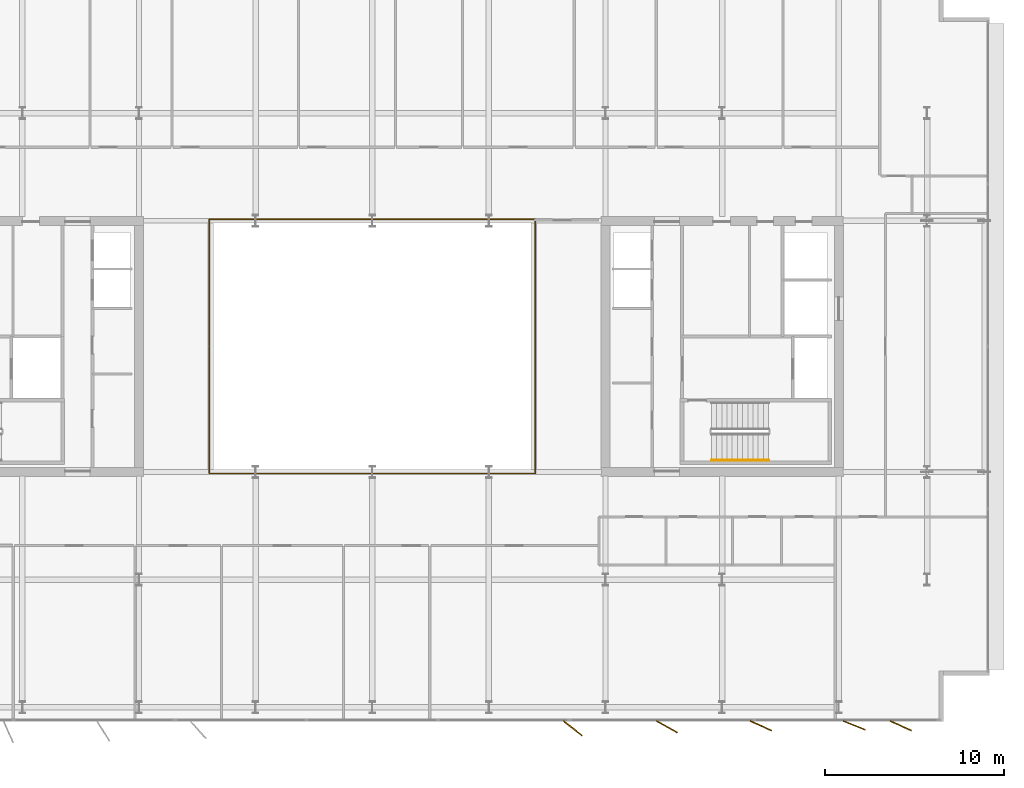
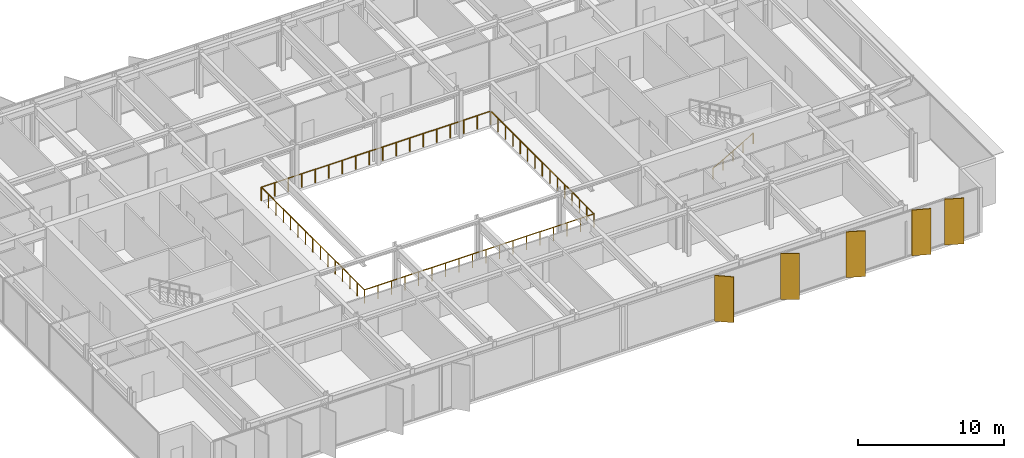
# One storey, part 18 of 20: 5 shading devices, 3 railings.
"""IFC4 building model written with IfcOpenShell, lengths in metres."""

from ifc_helpers import new_model, si_unit, direction, frame, origin, origin_2d, place, context, subcontext, project, spatial, rectangle, circle, extrude, material, layer, layer_set, type_object, element, save


model = new_model("IFC4")

# Units and contexts
model_context = context("Model", 3, precision=1e-05, world=origin(), true_north=direction((0.0, 1.0)))
body_context = subcontext(model_context, "Body", "Model", "MODEL_VIEW")
ifc_project = project(units=[si_unit("LENGTHUNIT", "METRE"), si_unit("AREAUNIT", "SQUARE_METRE"), si_unit("VOLUMEUNIT", "CUBIC_METRE"), si_unit("PLANEANGLEUNIT", "RADIAN"), si_unit("MASSUNIT", "GRAM", prefix="KILO")], contexts=[model_context])

# Site, building, storey
site_placement = place(None, origin())
site = spatial("IfcSite", under=ifc_project, at=site_placement, CompositionType="ELEMENT")
building_placement = place(site_placement, origin())
building = spatial("IfcBuilding", under=site, at=building_placement, Name="Putna Gate Headquarters", CompositionType="ELEMENT")
storey_placement = place(building_placement, frame((0.0, 0.0, 290.39990234375)))
storey = spatial("IfcBuildingStorey", under=building, at=storey_placement, Name="L73", CompositionType="ELEMENT", Elevation=290.39990234375)

# Railings
ifc_material_1 = material(Name="Anodised bronze and laminated glass atrium balustrade", Category="glass")
railing_type_1 = type_object("IfcRailingType", Name="RAIL-ATRIUM-GUARD-1150", PredefinedType="GUARDRAIL", material=ifc_material_1)
railing_1_placement = place(storey_placement, frame((29.919921875, 25.969970703125, 0.0)))
element("IfcRailing", 1, at=railing_1_placement, inside=storey, type_object=railing_type_1, Name="L73 Central Atrium Glazed Balustrade South", PredefinedType="GUARDRAIL", context=body_context, shape_type="SweptSolid", body=[
    extrude(circle(Radius=0.02392578125, at=origin_2d()), frame((0.0, 0.0, 1.1259765625), z_axis=(0.0, -1.0, 0.0), x_axis=(1.0, 0.0, 0.0)), (0.0, 0.0, 1.0), 7.050048828125),
    extrude(circle(Radius=0.02392578125, at=origin_2d()), frame((0.0, -7.050048828125, 1.1259765625), z_axis=(1.0, 0.0, 0.0), x_axis=(0.0, 1.0, 0.0)), (0.0, 0.0, 1.0), 18.16015625),
    extrude(circle(Radius=0.02392578125, at=origin_2d()), frame((18.16015625, -7.050048828125, 1.1259765625), z_axis=(0.0, 1.0, 0.0), x_axis=(-1.0, 0.0, 0.0)), (0.0, 0.0, 1.0), 7.050048828125),
    extrude(circle(Radius=0.02099609375, at=origin_2d()), origin(), (0.0, 0.0, 1.0), 1.101806640625),
    extrude(circle(Radius=0.02099609375, at=origin_2d()), frame((0.0, -1.007080078125, 0.0)), (0.0, 0.0, 1.0), 1.101806640625),
    extrude(circle(Radius=0.02099609375, at=origin_2d()), frame((0.0, -2.014404296875, 0.0)), (0.0, 0.0, 1.0), 1.101806640625),
    extrude(circle(Radius=0.02099609375, at=origin_2d()), frame((0.0, -3.021484375, 0.0)), (0.0, 0.0, 1.0), 1.101806640625),
    extrude(circle(Radius=0.02099609375, at=origin_2d()), frame((0.0, -4.028564453125, 0.0)), (0.0, 0.0, 1.0), 1.101806640625),
    extrude(circle(Radius=0.02099609375, at=origin_2d()), frame((0.0, -5.03564453125, 0.0)), (0.0, 0.0, 1.0), 1.101806640625),
    extrude(circle(Radius=0.02099609375, at=origin_2d()), frame((0.0, -6.04296875, 0.0)), (0.0, 0.0, 1.0), 1.101806640625),
    extrude(circle(Radius=0.02099609375, at=origin_2d()), frame((0.0, -7.050048828125, 0.0)), (0.0, 0.0, 1.0), 1.101806640625),
    extrude(circle(Radius=0.02099609375, at=origin_2d()), frame((1.068359375, -7.050048828125, 0.0)), (0.0, 0.0, 1.0), 1.101806640625),
    extrude(circle(Radius=0.02099609375, at=origin_2d()), frame((2.136474609375, -7.050048828125, 0.0)), (0.0, 0.0, 1.0), 1.101806640625),
    extrude(circle(Radius=0.02099609375, at=origin_2d()), frame((3.204833984375, -7.050048828125, 0.0)), (0.0, 0.0, 1.0), 1.101806640625),
    extrude(circle(Radius=0.02099609375, at=origin_2d()), frame((4.27294921875, -7.050048828125, 0.0)), (0.0, 0.0, 1.0), 1.101806640625),
    extrude(circle(Radius=0.02099609375, at=origin_2d()), frame((5.34130859375, -7.050048828125, 0.0)), (0.0, 0.0, 1.0), 1.101806640625),
    extrude(circle(Radius=0.02099609375, at=origin_2d()), frame((6.409423828125, -7.050048828125, 0.0)), (0.0, 0.0, 1.0), 1.101806640625),
    extrude(circle(Radius=0.02099609375, at=origin_2d()), frame((7.477783203125, -7.050048828125, 0.0)), (0.0, 0.0, 1.0), 1.101806640625),
    extrude(circle(Radius=0.02099609375, at=origin_2d()), frame((8.5458984375, -7.050048828125, 0.0)), (0.0, 0.0, 1.0), 1.101806640625),
    extrude(circle(Radius=0.02099609375, at=origin_2d()), frame((9.6142578125, -7.050048828125, 0.0)), (0.0, 0.0, 1.0), 1.101806640625),
    extrude(circle(Radius=0.02099609375, at=origin_2d()), frame((10.682373046875, -7.050048828125, 0.0)), (0.0, 0.0, 1.0), 1.101806640625),
    extrude(circle(Radius=0.02099609375, at=origin_2d()), frame((11.750732421875, -7.050048828125, 0.0)), (0.0, 0.0, 1.0), 1.101806640625),
    extrude(circle(Radius=0.02099609375, at=origin_2d()), frame((12.81884765625, -7.050048828125, 0.0)), (0.0, 0.0, 1.0), 1.101806640625),
    extrude(circle(Radius=0.02099609375, at=origin_2d()), frame((13.88720703125, -7.050048828125, 0.0)), (0.0, 0.0, 1.0), 1.101806640625),
    extrude(circle(Radius=0.02099609375, at=origin_2d()), frame((14.955322265625, -7.050048828125, 0.0)), (0.0, 0.0, 1.0), 1.101806640625),
    extrude(circle(Radius=0.02099609375, at=origin_2d()), frame((16.023681640625, -7.050048828125, 0.0)), (0.0, 0.0, 1.0), 1.101806640625),
    extrude(circle(Radius=0.02099609375, at=origin_2d()), frame((17.091796875, -7.050048828125, 0.0)), (0.0, 0.0, 1.0), 1.101806640625),
    extrude(circle(Radius=0.02099609375, at=origin_2d()), frame((18.16015625, -7.050048828125, 0.0)), (0.0, 0.0, 1.0), 1.101806640625),
    extrude(circle(Radius=0.02099609375, at=origin_2d()), frame((18.16015625, -6.04296875, 0.0)), (0.0, 0.0, 1.0), 1.101806640625),
    extrude(circle(Radius=0.02099609375, at=origin_2d()), frame((18.16015625, -5.03564453125, 0.0)), (0.0, 0.0, 1.0), 1.101806640625),
    extrude(circle(Radius=0.02099609375, at=origin_2d()), frame((18.16015625, -4.028564453125, 0.0)), (0.0, 0.0, 1.0), 1.101806640625),
    extrude(circle(Radius=0.02099609375, at=origin_2d()), frame((18.16015625, -3.021484375, 0.0)), (0.0, 0.0, 1.0), 1.101806640625),
    extrude(circle(Radius=0.02099609375, at=origin_2d()), frame((18.16015625, -2.014404296875, 0.0)), (0.0, 0.0, 1.0), 1.101806640625),
    extrude(circle(Radius=0.02099609375, at=origin_2d()), frame((18.16015625, -1.007080078125, 0.0)), (0.0, 0.0, 1.0), 1.101806640625),
    extrude(circle(Radius=0.02099609375, at=origin_2d()), frame((18.16015625, 0.0, 0.0)), (0.0, 0.0, 1.0), 1.101806640625),
])
railing_2_placement = place(storey_placement, frame((48.080078125, 26.030029296875, 0.0)))
element("IfcRailing", 2, at=railing_2_placement, inside=storey, type_object=railing_type_1, Name="L73 Central Atrium Glazed Balustrade North", PredefinedType="GUARDRAIL", context=body_context, shape_type="SweptSolid", body=[
    extrude(circle(Radius=0.02392578125, at=origin_2d()), frame((0.0, 0.0, 1.1259765625), z_axis=(0.0, 1.0, 0.0), x_axis=(-1.0, 0.0, 0.0)), (0.0, 0.0, 1.0), 7.050048828125),
    extrude(circle(Radius=0.02392578125, at=origin_2d()), frame((0.0, 7.050048828125, 1.1259765625), z_axis=(-1.0, 0.0, 0.0), x_axis=(0.0, -1.0, 0.0)), (0.0, 0.0, 1.0), 18.16015625),
    extrude(circle(Radius=0.02392578125, at=origin_2d()), frame((-18.16015625, 7.050048828125, 1.1259765625), z_axis=(0.0, -1.0, 0.0), x_axis=(1.0, 0.0, 0.0)), (0.0, 0.0, 1.0), 7.050048828125),
    extrude(circle(Radius=0.02099609375, at=origin_2d()), origin(), (0.0, 0.0, 1.0), 1.101806640625),
    extrude(circle(Radius=0.02099609375, at=origin_2d()), frame((0.0, 1.007080078125, 0.0)), (0.0, 0.0, 1.0), 1.101806640625),
    extrude(circle(Radius=0.02099609375, at=origin_2d()), frame((0.0, 2.014404296875, 0.0)), (0.0, 0.0, 1.0), 1.101806640625),
    extrude(circle(Radius=0.02099609375, at=origin_2d()), frame((0.0, 3.021484375, 0.0)), (0.0, 0.0, 1.0), 1.101806640625),
    extrude(circle(Radius=0.02099609375, at=origin_2d()), frame((0.0, 4.028564453125, 0.0)), (0.0, 0.0, 1.0), 1.101806640625),
    extrude(circle(Radius=0.02099609375, at=origin_2d()), frame((0.0, 5.03564453125, 0.0)), (0.0, 0.0, 1.0), 1.101806640625),
    extrude(circle(Radius=0.02099609375, at=origin_2d()), frame((0.0, 6.04296875, 0.0)), (0.0, 0.0, 1.0), 1.101806640625),
    extrude(circle(Radius=0.02099609375, at=origin_2d()), frame((0.0, 7.050048828125, 0.0)), (0.0, 0.0, 1.0), 1.101806640625),
    extrude(circle(Radius=0.02099609375, at=origin_2d()), frame((-1.068359375, 7.050048828125, 0.0)), (0.0, 0.0, 1.0), 1.101806640625),
    extrude(circle(Radius=0.02099609375, at=origin_2d()), frame((-2.136474609375, 7.050048828125, 0.0)), (0.0, 0.0, 1.0), 1.101806640625),
    extrude(circle(Radius=0.02099609375, at=origin_2d()), frame((-3.204833984375, 7.050048828125, 0.0)), (0.0, 0.0, 1.0), 1.101806640625),
    extrude(circle(Radius=0.02099609375, at=origin_2d()), frame((-4.27294921875, 7.050048828125, 0.0)), (0.0, 0.0, 1.0), 1.101806640625),
    extrude(circle(Radius=0.02099609375, at=origin_2d()), frame((-5.34130859375, 7.050048828125, 0.0)), (0.0, 0.0, 1.0), 1.101806640625),
    extrude(circle(Radius=0.02099609375, at=origin_2d()), frame((-6.409423828125, 7.050048828125, 0.0)), (0.0, 0.0, 1.0), 1.101806640625),
    extrude(circle(Radius=0.02099609375, at=origin_2d()), frame((-7.477783203125, 7.050048828125, 0.0)), (0.0, 0.0, 1.0), 1.101806640625),
    extrude(circle(Radius=0.02099609375, at=origin_2d()), frame((-8.5458984375, 7.050048828125, 0.0)), (0.0, 0.0, 1.0), 1.101806640625),
    extrude(circle(Radius=0.02099609375, at=origin_2d()), frame((-9.6142578125, 7.050048828125, 0.0)), (0.0, 0.0, 1.0), 1.101806640625),
    extrude(circle(Radius=0.02099609375, at=origin_2d()), frame((-10.682373046875, 7.050048828125, 0.0)), (0.0, 0.0, 1.0), 1.101806640625),
    extrude(circle(Radius=0.02099609375, at=origin_2d()), frame((-11.750732421875, 7.050048828125, 0.0)), (0.0, 0.0, 1.0), 1.101806640625),
    extrude(circle(Radius=0.02099609375, at=origin_2d()), frame((-12.81884765625, 7.050048828125, 0.0)), (0.0, 0.0, 1.0), 1.101806640625),
    extrude(circle(Radius=0.02099609375, at=origin_2d()), frame((-13.88720703125, 7.050048828125, 0.0)), (0.0, 0.0, 1.0), 1.101806640625),
    extrude(circle(Radius=0.02099609375, at=origin_2d()), frame((-14.955322265625, 7.050048828125, 0.0)), (0.0, 0.0, 1.0), 1.101806640625),
    extrude(circle(Radius=0.02099609375, at=origin_2d()), frame((-16.023681640625, 7.050048828125, 0.0)), (0.0, 0.0, 1.0), 1.101806640625),
    extrude(circle(Radius=0.02099609375, at=origin_2d()), frame((-17.091796875, 7.050048828125, 0.0)), (0.0, 0.0, 1.0), 1.101806640625),
    extrude(circle(Radius=0.02099609375, at=origin_2d()), frame((-18.16015625, 7.050048828125, 0.0)), (0.0, 0.0, 1.0), 1.101806640625),
    extrude(circle(Radius=0.02099609375, at=origin_2d()), frame((-18.16015625, 6.04296875, 0.0)), (0.0, 0.0, 1.0), 1.101806640625),
    extrude(circle(Radius=0.02099609375, at=origin_2d()), frame((-18.16015625, 5.03564453125, 0.0)), (0.0, 0.0, 1.0), 1.101806640625),
    extrude(circle(Radius=0.02099609375, at=origin_2d()), frame((-18.16015625, 4.028564453125, 0.0)), (0.0, 0.0, 1.0), 1.101806640625),
    extrude(circle(Radius=0.02099609375, at=origin_2d()), frame((-18.16015625, 3.021484375, 0.0)), (0.0, 0.0, 1.0), 1.101806640625),
    extrude(circle(Radius=0.02099609375, at=origin_2d()), frame((-18.16015625, 2.014404296875, 0.0)), (0.0, 0.0, 1.0), 1.101806640625),
    extrude(circle(Radius=0.02099609375, at=origin_2d()), frame((-18.16015625, 1.007080078125, 0.0)), (0.0, 0.0, 1.0), 1.101806640625),
    extrude(circle(Radius=0.02099609375, at=origin_2d()), frame((-18.16015625, 0.0, 0.0)), (0.0, 0.0, 1.0), 1.101806640625),
])
ifc_material_2 = material(Name="Brushed stainless steel handrail", Category="steel")
railing_type_2 = type_object("IfcRailingType", Name="RAIL-STAIR-HAND-900", PredefinedType="HANDRAIL", material=ifc_material_2)
railing_3_placement = place(storey_placement, frame((57.89990234375, 19.64990234375, 0.166748046875)))
element("IfcRailing", 3, at=railing_3_placement, inside=storey, type_object=railing_type_2, Name="L73 ST2 stair handrail 1", PredefinedType="HANDRAIL", context=body_context, shape_type="SweptSolid", body=[
    extrude(circle(Radius=0.02392578125, at=origin_2d()), frame((0.0, 0.0, 0.8759765625), z_axis=(0.8670360191, 0.0, 0.498245463184), x_axis=(0.0, 1.0, 0.0)), (0.0, 0.0, 1.0), 3.679443359375),
    extrude(circle(Radius=0.02099609375, at=origin_2d()), origin(), (0.0, 0.0, 1.0), 0.851806640625),
    extrude(circle(Radius=0.02099609375, at=origin_2d()), frame((0.797607421875, 0.0, 0.458251953125)), (0.0, 0.0, 1.0), 0.851806640625),
    extrude(circle(Radius=0.02099609375, at=origin_2d()), frame((1.59521484375, 0.0, 0.91650390625)), (0.0, 0.0, 1.0), 0.851806640625),
    extrude(circle(Radius=0.02099609375, at=origin_2d()), frame((2.392578125, 0.0, 1.375)), (0.0, 0.0, 1.0), 0.851806640625),
    extrude(circle(Radius=0.02099609375, at=origin_2d()), frame((3.190185546875, 0.0, 1.833251953125)), (0.0, 0.0, 1.0), 0.851806640625),
])

# Shading devices
ifc_material_3 = material(Name="Anodised architectural bronze aluminium fin", Category="aluminium")
ifc_layer = layer(ifc_material_3, 0.06494140625)
ifc_layer_set = layer_set([ifc_layer], Name="Anodised architectural bronze aluminium fin")
shading_device_type = type_object("IfcShadingDeviceType", Name="SHADE-BRONZE-FIN-1320", PredefinedType="USERDEFINED", material=ifc_layer_set)
for number, where, z_axis, x_axis, name in (
    (4, (50.169677734375, 4.71826171875, -0.02001953125), (0.0, 0.0, 1.0), (0.787473187632, -0.616348909921, 0.0), "L73 Bronze Vertical Shading Fin S7"),
    (5, (55.423828125, 4.798828125, -0.02001953125), (0.0, 0.0, 1.0), (0.869322458298, -0.494245347472, 0.0), "L73 Bronze Vertical Shading Fin S8"),
    (6, (60.653076171875, 4.856689453125, -0.02001953125), (0.0, 0.0, 1.0), (0.913687379856, -0.40641773078, 0.0), "L73 Bronze Vertical Shading Fin S9"),
    (7, (65.86181640625, 4.877685546875, -0.02001953125), (0.0, 0.0, 1.0), (0.927183854567, -0.374606593416, 0.0), "L73 Bronze Vertical Shading Fin S10"),
    (8, (68.452880859375, 4.856689453125, -0.02001953125), (0.0, 0.0, 1.0), (0.913687379856, -0.40641773078, 0.0), "L73 Bronze Vertical Shading Fin S11"),
):
    element("IfcShadingDevice", number, at=place(storey_placement, frame(where, z_axis=z_axis, x_axis=x_axis)), inside=storey, type_object=shading_device_type, Name=name, ObjectType="FIN", PredefinedType="USERDEFINED", context=body_context, shape_type="SweptSolid", body=[
        extrude(rectangle(XDim=1.320068359375, YDim=0.06494140625, at=origin_2d()), origin(), (0.0, 0.0, 1.0), 3.827880859375),
    ])

save(model, "model.ifc")
